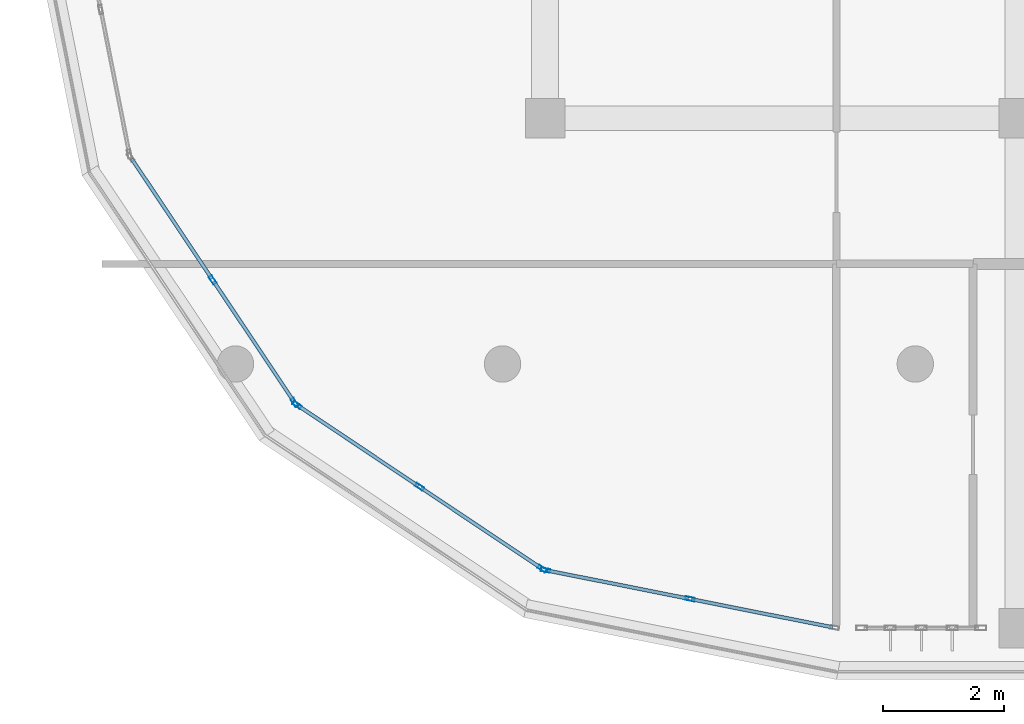
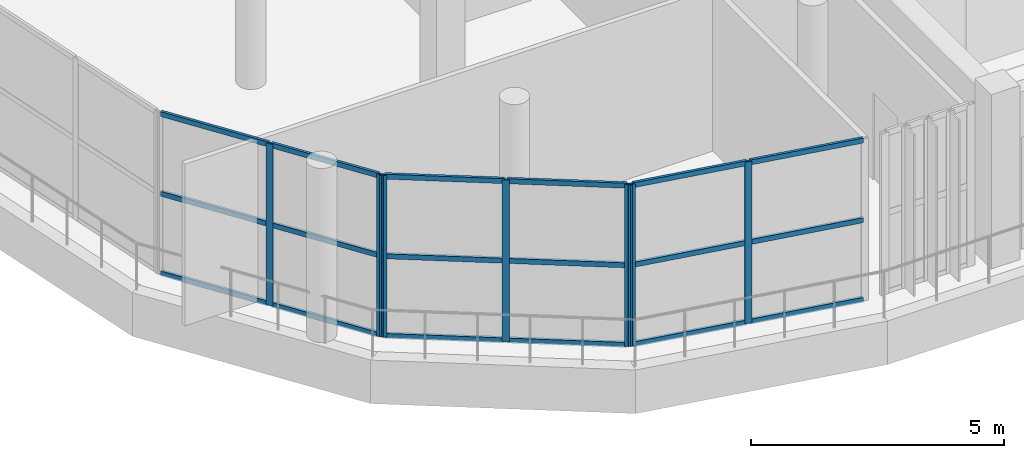
# One storey, part 2 of 63: 25 members, 3 elements without a shape of their own.
"""IFC4 building model written with IfcOpenShell, lengths in metres."""

import ifcopenshell
import ifcopenshell.guid

model = None  # the IFC model being written
_history = None  # IfcOwnerHistory: only IFC2X3 demands one
_inside = {}  # id of a spatial element -> (the spatial element, [elements in it])
_under = {}  # id of a project, library or spatial element -> (it, [spatial elements below it])
_declared = {}  # id of a project -> (the project, [libraries it declares])
_typed = {}  # id of a type object -> (the type object, [elements of that type])
_made_of = {}  # id of a material, layer set ... -> (it, [elements and type objects made of it])


def new_model(schema):
    """Start an empty IFC model of exactly this schema.

    Asked for "IFC4X3", IfcOpenShell would pick the latest addendum, in which some entities
    have other attributes; the version numbers below select the first issue.
    IFC2X3 requires an IfcOwnerHistory on every rooted entity: one is made here for all.
    """
    global model, _history
    if schema == "IFC4X3":
        model = ifcopenshell.file(schema_version=(4, 3, 0, 0))
    else:
        model = ifcopenshell.file(schema=schema)
    _inside.clear()
    _under.clear()
    _declared.clear()
    _typed.clear()
    _made_of.clear()
    _history = None
    if model.schema == "IFC2X3":
        org = make("IfcOrganization", Name="unknown")
        user = make(
            "IfcPersonAndOrganization",
            ThePerson=make("IfcPerson", FamilyName="unknown"),
            TheOrganization=org,
        )
        app = make(
            "IfcApplication",
            ApplicationDeveloper=org,
            Version="unknown",
            ApplicationFullName="unknown",
            ApplicationIdentifier="unknown",
        )
        _history = make(
            "IfcOwnerHistory",
            OwningUser=user,
            OwningApplication=app,
            ChangeAction="ADDED",
            CreationDate=0,
        )
    return model


def make(cls, **values):
    """One entity of the class cls with the attributes given. An attribute that is None is left unset."""
    return model.create_entity(
        cls, **{name: value for name, value in values.items() if value is not None}
    )


def rooted(cls, **values):
    """An entity with a GlobalId (a new one), such as an element, a storey or a relation."""
    return make(cls, GlobalId=ifcopenshell.guid.new(), OwnerHistory=_history, **values)


def si_unit(unit_type, name, prefix=None):
    """IfcSIUnit, for example si_unit("LENGTHUNIT", "METRE", prefix="MILLI")."""
    return make("IfcSIUnit", UnitType=unit_type, Prefix=prefix, Name=name)


def assignment(units):
    """IfcUnitAssignment: the units of a project."""
    return None if units is None else make("IfcUnitAssignment", Units=units)


def point(xyz):
    """IfcCartesianPoint."""
    return None if xyz is None else make("IfcCartesianPoint", Coordinates=xyz)


def direction(xyz):
    """IfcDirection."""
    return None if xyz is None else make("IfcDirection", DirectionRatios=xyz)


def frame(location, z_axis=None, x_axis=None):
    """IfcAxis2Placement3D, a coordinate frame: its origin and axes. An axis left out is left unset."""
    return make(
        "IfcAxis2Placement3D",
        Location=point(location),
        Axis=direction(z_axis),
        RefDirection=direction(x_axis),
    )


def frame_2d(location, x_axis=None):
    """IfcAxis2Placement2D, a coordinate frame in the plane: its origin and x axis."""
    return make(
        "IfcAxis2Placement2D", Location=point(location), RefDirection=direction(x_axis)
    )


def origin():
    """The frame at (0, 0, 0) with its axes left unset."""
    return frame((0.0, 0.0, 0.0))


def origin_2d():
    """The frame at (0, 0) in the plane with its x axis left unset."""
    return frame_2d((0.0, 0.0))


def place(relative_to, where):
    """IfcLocalPlacement: puts the frame where relative to a parent placement (None: the world)."""
    return make(
        "IfcLocalPlacement", PlacementRelTo=relative_to, RelativePlacement=where
    )


def context(
    kind, dimensions, precision=None, world=None, true_north=None, identifier=None
):
    """IfcGeometricRepresentationContext, for example the 3D "Model" context."""
    return make(
        "IfcGeometricRepresentationContext",
        ContextIdentifier=identifier,
        ContextType=kind,
        CoordinateSpaceDimension=dimensions,
        Precision=precision,
        WorldCoordinateSystem=world,
        TrueNorth=true_north,
    )


def subcontext(parent, identifier, kind, view, scale=None):
    """IfcGeometricRepresentationSubContext, for example "Body" below "Model"."""
    return make(
        "IfcGeometricRepresentationSubContext",
        ContextIdentifier=identifier,
        ContextType=kind,
        ParentContext=parent,
        TargetScale=scale,
        TargetView=view,
    )


def project(units=None, contexts=None):
    """IfcProject with its units and contexts."""
    return rooted(
        "IfcProject",
        Name="project",
        RepresentationContexts=contexts,
        UnitsInContext=assignment(units),
    )


def spatial(cls, under=None, at=None, **own):
    """A site, building, storey or space (cls), placed at a placement, below another one or the project."""
    s = rooted(cls, ObjectPlacement=at, **own)
    if under is not None:
        _under.setdefault(under.id(), (under, []))[1].append(s)
    return s


def profile(cls, at=None, kind="AREA", **sizes):
    """A parametric profile (cls). Its sizes go by their IFC names, for example OverallWidth=200.0."""
    return make(cls, ProfileType=kind, Position=at, **sizes)


def hollow_rectangle(**sizes):
    """IfcRectangleHollowProfileDef."""
    return profile("IfcRectangleHollowProfileDef", **sizes)


def extrude(swept, where, along, depth):
    """IfcExtrudedAreaSolid: the profile swept, set in the frame where, extruded along a direction by depth."""
    return make(
        "IfcExtrudedAreaSolid",
        SweptArea=swept,
        Position=where,
        ExtrudedDirection=direction(along),
        Depth=depth,
    )


def shape(context_of_items, identifier, shape_type, items):
    """IfcShapeRepresentation: the items that make up one representation, for example the "Body"."""
    return make(
        "IfcShapeRepresentation",
        ContextOfItems=context_of_items,
        RepresentationIdentifier=identifier,
        RepresentationType=shape_type,
        Items=items,
    )


def material(Name=None, Category=None):
    """IfcMaterial."""
    return make("IfcMaterial", Name=Name, Category=Category)


def layer(
    of_material, thickness, ventilated=None, Name=None, Category=None, Priority=None
):
    """IfcMaterialLayer: one layer of a wall or slab, of a material (None: an air gap)."""
    return make(
        "IfcMaterialLayer",
        Material=of_material,
        LayerThickness=thickness,
        IsVentilated=ventilated,
        Name=Name,
        Category=Category,
        Priority=Priority,
    )


def layer_set(layers, Name=None):
    """IfcMaterialLayerSet."""
    return make("IfcMaterialLayerSet", MaterialLayers=layers, LayerSetName=Name)


def material_profile(
    of_material, cross_section, Name=None, Category=None, Priority=None
):
    """IfcMaterialProfile: a cross section and its material."""
    return make(
        "IfcMaterialProfile",
        Name=Name,
        Material=of_material,
        Profile=cross_section,
        Priority=Priority,
        Category=Category,
    )


def profile_set(profiles, Name=None, composite=None):
    """IfcMaterialProfileSet."""
    return make(
        "IfcMaterialProfileSet",
        Name=Name,
        MaterialProfiles=profiles,
        CompositeProfile=composite,
    )


def made_of(thing, what):
    """Note that an element or type object is made of a material, layer set ...; save() writes the relation."""
    if what is not None:
        _made_of.setdefault(what.id(), (what, []))[1].append(thing)
    return thing


def type_object(cls, material=None, **own):
    """A type object (cls), such as IfcWallType, which elements share."""
    return made_of(rooted(cls, **own), material)


def element(
    cls,
    number,
    at=None,
    inside=None,
    cuts=None,
    type_object=None,
    material=None,
    context=None,
    identifier="Body",
    shape_type=None,
    held_by="IfcProductDefinitionShape",
    body=None,
    shapes=None,
    **own,
):
    """One element of the class cls, such as IfcWall. Its Tag is "e" and its number.

    at: its placement. inside: the storey or other place that contains it. cuts: it is an
    opening in that element (IfcRelVoidsElement). A single representation is given by context,
    identifier, shape_type and body (its items); several are given by shapes. held_by: the class
    of the entity that holds the representations. save() writes the other relations.
    """
    e = rooted(cls, Tag="e%d" % number, ObjectPlacement=at, **own)
    if body is not None:
        shapes = [shape(context, identifier, shape_type, body)]
    if shapes is not None:
        e.Representation = make(held_by, Representations=shapes)
    if inside is not None:
        _inside.setdefault(inside.id(), (inside, []))[1].append(e)
    if cuts is not None:
        rooted(
            "IfcRelVoidsElement", RelatingBuildingElement=cuts, RelatedOpeningElement=e
        )
    if type_object is not None:
        _typed.setdefault(type_object.id(), (type_object, []))[1].append(e)
    return made_of(e, material)


def aggregate(whole, parts):
    """IfcRelAggregates: a whole, such as a stair, and the parts it consists of."""
    return rooted("IfcRelAggregates", RelatingObject=whole, RelatedObjects=parts)


def save(model, path):
    """Write the relations noted so far, then the file.

    IfcRelAggregates (storeys below a building ...), IfcRelContainedInSpatialStructure (elements
    in a storey), IfcRelDefinesByType, IfcRelAssociatesMaterial and IfcRelDeclares: one each for
    every whole, place, type object, material and project.
    """
    for whole, parts in _under.values():
        aggregate(whole, parts)
    for where, things in _inside.values():
        rooted(
            "IfcRelContainedInSpatialStructure",
            RelatedElements=things,
            RelatingStructure=where,
        )
    for kind, things in _typed.values():
        rooted("IfcRelDefinesByType", RelatedObjects=things, RelatingType=kind)
    for what, things in _made_of.values():
        rooted("IfcRelAssociatesMaterial", RelatedObjects=things, RelatingMaterial=what)
    for by, libraries in _declared.values():
        rooted("IfcRelDeclares", RelatingContext=by, RelatedDefinitions=libraries)
    model.write(path)


model = new_model("IFC4")

# Units and contexts
model_context = context("Model", 3, precision=1e-05, world=origin(), true_north=direction((0.0, 1.0)))
body_context = subcontext(model_context, "Body", "Model", "MODEL_VIEW")
ifc_project = project(units=[si_unit("LENGTHUNIT", "METRE"), si_unit("AREAUNIT", "SQUARE_METRE"), si_unit("VOLUMEUNIT", "CUBIC_METRE"), si_unit("PLANEANGLEUNIT", "RADIAN"), si_unit("MASSUNIT", "GRAM", prefix="KILO")], contexts=[model_context])

# Site, building, storey
site_placement = place(None, origin())
site = spatial("IfcSite", under=ifc_project, at=site_placement, CompositionType="ELEMENT")
building_placement = place(site_placement, origin())
building = spatial("IfcBuilding", under=site, at=building_placement, Name="Zizhar Promenade General Hospital", CompositionType="ELEMENT")
storey_placement = place(building_placement, frame((0.0, 0.0, 18.0)))
storey = spatial("IfcBuildingStorey", under=building, at=storey_placement, Name="L04", CompositionType="ELEMENT", Elevation=18.0)

# Curtain wall, members
ifc_material_1 = material(Name="Anodised aluminium 6063-T6 and low-E glass", Category="aluminium")
ifc_layer = layer(ifc_material_1, 0.159912109375)
ifc_layer_set = layer_set([ifc_layer], Name="Anodised aluminium 6063-T6 and low-E glass")
curtain_wall_type = type_object("IfcCurtainWallType", Name="CW-WARD-ARC", PredefinedType="NOTDEFINED", material=ifc_layer_set)
curtain_wall_1_placement = place(storey_placement, origin())
curtain_wall_1 = element("IfcCurtainWall", 1, at=curtain_wall_1_placement, inside=storey, type_object=curtain_wall_type, Name="Ward Semicircular End Glazing L04-15", PredefinedType="NOTDEFINED")
ifc_material_2 = material(Name="Anodised aluminium 6063-T6", Category="aluminium")
ifc_material_profile_1 = material_profile(ifc_material_2, hollow_rectangle(XDim=0.06005859375, YDim=0.14990234375, WallThickness=0.00390625, at=origin_2d()))
ifc_profile_set_1 = profile_set([ifc_material_profile_1], Name="Anodised aluminium 6063-T6")
member_type_1 = type_object("IfcMemberType", Name="CWM-ALU-150x60", PredefinedType="MULLION", material=ifc_profile_set_1)
member_1_placement = place(storey_placement, frame((19.27392578125, 3.71533203125, 0.0), z_axis=(0.0, 0.0, 1.0), x_axis=(-0.831461514468, -0.555582352095, 0.0)))
member_1 = element("IfcMember", 2, at=member_1_placement, type_object=member_type_1, Name="CW-12 mullion 1", PredefinedType="MULLION", context=body_context, shape_type="SweptSolid", body=[
    extrude(hollow_rectangle(XDim=0.06005859375, YDim=0.14990234375, WallThickness=0.00390625, at=origin_2d()), origin(), (0.0, 0.0, 1.0), 3.89990234375),
])
member_2_placement = place(storey_placement, frame((17.9248046875, 5.734375, 0.0), z_axis=(0.0, 0.0, 1.0), x_axis=(-0.831461514468, -0.555582352095, 0.0)))
member_2 = element("IfcMember", 3, at=member_2_placement, type_object=member_type_1, Name="CW-12 mullion 2", PredefinedType="MULLION", context=body_context, shape_type="SweptSolid", body=[
    extrude(hollow_rectangle(XDim=0.06005859375, YDim=0.14990234375, WallThickness=0.00390625, at=origin_2d()), origin(), (0.0, 0.0, 1.0), 3.89990234375),
])

curtain_wall_2_placement = place(storey_placement, origin())
curtain_wall_2 = element("IfcCurtainWall", 4, at=curtain_wall_2_placement, inside=storey, type_object=curtain_wall_type, Name="Ward Semicircular End Glazing L04-16", PredefinedType="NOTDEFINED")
member_3_placement = place(storey_placement, frame((23.353271484375, 0.975830078125, 0.0), z_axis=(0.0, 0.0, 1.0), x_axis=(-0.555582352095, -0.831461514468, 0.0)))
member_3 = element("IfcMember", 5, at=member_3_placement, type_object=member_type_1, Name="CW-12 mullion 1", PredefinedType="MULLION", context=body_context, shape_type="SweptSolid", body=[
    extrude(hollow_rectangle(XDim=0.06005859375, YDim=0.14990234375, WallThickness=0.00390625, at=origin_2d()), origin(), (0.0, 0.0, 1.0), 3.89990234375),
])
member_4_placement = place(storey_placement, frame((21.334228515625, 2.32470703125, 0.0), z_axis=(0.0, 0.0, 1.0), x_axis=(-0.555582352095, -0.831461514468, 0.0)))
member_4 = element("IfcMember", 6, at=member_4_placement, type_object=member_type_1, Name="CW-12 mullion 2", PredefinedType="MULLION", context=body_context, shape_type="SweptSolid", body=[
    extrude(hollow_rectangle(XDim=0.06005859375, YDim=0.14990234375, WallThickness=0.00390625, at=origin_2d()), origin(), (0.0, 0.0, 1.0), 3.89990234375),
])
member_5_placement = place(storey_placement, frame((19.3154296875, 3.673828125, 0.0), z_axis=(0.0, 0.0, 1.0), x_axis=(-0.555582352095, -0.831461514468, 0.0)))
member_5 = element("IfcMember", 7, at=member_5_placement, type_object=member_type_1, Name="CW-12 mullion 3", PredefinedType="MULLION", context=body_context, shape_type="SweptSolid", body=[
    extrude(hollow_rectangle(XDim=0.06005859375, YDim=0.14990234375, WallThickness=0.00390625, at=origin_2d()), origin(), (0.0, 0.0, 1.0), 3.89990234375),
])

curtain_wall_3_placement = place(storey_placement, origin())
curtain_wall_3 = element("IfcCurtainWall", 8, at=curtain_wall_3_placement, inside=storey, type_object=curtain_wall_type, Name="Ward Semicircular End Glazing L04-17", PredefinedType="NOTDEFINED")
member_6_placement = place(storey_placement, frame((25.7890625, 0.4794921875, 0.0), z_axis=(0.0, 0.0, 1.0), x_axis=(-0.195087259275, -0.980785889615, 0.0)))
member_6 = element("IfcMember", 9, at=member_6_placement, type_object=member_type_1, Name="CW-12 mullion 2", PredefinedType="MULLION", context=body_context, shape_type="SweptSolid", body=[
    extrude(hollow_rectangle(XDim=0.06005859375, YDim=0.14990234375, WallThickness=0.00390625, at=origin_2d()), origin(), (0.0, 0.0, 1.0), 3.89990234375),
])
member_7_placement = place(storey_placement, frame((23.40771484375, 0.953369140625, 0.0), z_axis=(0.0, 0.0, 1.0), x_axis=(-0.195087259275, -0.980785889615, 0.0)))
member_7 = element("IfcMember", 10, at=member_7_placement, type_object=member_type_1, Name="CW-12 mullion 3", PredefinedType="MULLION", context=body_context, shape_type="SweptSolid", body=[
    extrude(hollow_rectangle(XDim=0.06005859375, YDim=0.14990234375, WallThickness=0.00390625, at=origin_2d()), origin(), (0.0, 0.0, 1.0), 3.89990234375),
])

# Member
ifc_material_3 = material(Name="Anodised aluminium 6063-T6", Category="aluminium")
ifc_material_profile_2 = material_profile(ifc_material_3, hollow_rectangle(XDim=0.06005859375, YDim=0.1201171875, WallThickness=0.00390625, at=origin_2d()))
ifc_profile_set_2 = profile_set([ifc_material_profile_2], Name="Anodised aluminium 6063-T6")
member_type_2 = type_object("IfcMemberType", Name="CWT-ALU-120x60", PredefinedType="USERDEFINED", material=ifc_profile_set_2)
member_8_placement = place(storey_placement, frame((19.257080078125, 3.740478515625, 0.030029296875), z_axis=(-0.555580160396, 0.831462978956, 0.0), x_axis=(-0.831462978956, -0.555580160396, 0.0)))
member_8 = element("IfcMember", 11, at=member_8_placement, type_object=member_type_2, Name="CW-12 transom 1.1", ObjectType="TRANSOM", PredefinedType="USERDEFINED", context=body_context, shape_type="SweptSolid", body=[
    extrude(hollow_rectangle(XDim=0.06005859375, YDim=0.1201171875, WallThickness=0.00390625, at=origin_2d()), origin(), (0.0, 0.0, 1.0), 2.3681640625),
])

member_9_placement = place(storey_placement, frame((19.257080078125, 3.740478515625, 1.949951171875), z_axis=(-0.555580160396, 0.831462978956, 0.0), x_axis=(-0.831462978956, -0.555580160396, 0.0)))
member_9 = element("IfcMember", 12, at=member_9_placement, type_object=member_type_2, Name="CW-12 transom 1.2", ObjectType="TRANSOM", PredefinedType="USERDEFINED", context=body_context, shape_type="SweptSolid", body=[
    extrude(hollow_rectangle(XDim=0.06005859375, YDim=0.1201171875, WallThickness=0.00390625, at=origin_2d()), origin(), (0.0, 0.0, 1.0), 2.3681640625),
])

member_10_placement = place(storey_placement, frame((19.257080078125, 3.740478515625, 3.8701171875), z_axis=(-0.555580160396, 0.831462978956, 0.0), x_axis=(-0.831462978956, -0.555580160396, 0.0)))
member_10 = element("IfcMember", 13, at=member_10_placement, type_object=member_type_2, Name="CW-12 transom 1.3", ObjectType="TRANSOM", PredefinedType="USERDEFINED", context=body_context, shape_type="SweptSolid", body=[
    extrude(hollow_rectangle(XDim=0.06005859375, YDim=0.1201171875, WallThickness=0.00390625, at=origin_2d()), origin(), (0.0, 0.0, 1.0), 2.3681640625),
])

member_11_placement = place(storey_placement, frame((17.908203125, 5.75927734375, 0.030029296875), z_axis=(-0.555580160396, 0.831462978956, 0.0), x_axis=(-0.831462978956, -0.555580160396, 0.0)))
member_11 = element("IfcMember", 14, at=member_11_placement, type_object=member_type_2, Name="CW-12 transom 2.1", ObjectType="TRANSOM", PredefinedType="USERDEFINED", context=body_context, shape_type="SweptSolid", body=[
    extrude(hollow_rectangle(XDim=0.06005859375, YDim=0.1201171875, WallThickness=0.00390625, at=origin_2d()), origin(), (0.0, 0.0, 1.0), 2.3681640625),
])

member_12_placement = place(storey_placement, frame((17.908203125, 5.75927734375, 1.949951171875), z_axis=(-0.555580160396, 0.831462978956, 0.0), x_axis=(-0.831462978956, -0.555580160396, 0.0)))
member_12 = element("IfcMember", 15, at=member_12_placement, type_object=member_type_2, Name="CW-12 transom 2.2", ObjectType="TRANSOM", PredefinedType="USERDEFINED", context=body_context, shape_type="SweptSolid", body=[
    extrude(hollow_rectangle(XDim=0.06005859375, YDim=0.1201171875, WallThickness=0.00390625, at=origin_2d()), origin(), (0.0, 0.0, 1.0), 2.3681640625),
])

member_13_placement = place(storey_placement, frame((17.908203125, 5.75927734375, 3.8701171875), z_axis=(-0.555580160396, 0.831462978956, 0.0), x_axis=(-0.831462978956, -0.555580160396, 0.0)))
member_13 = element("IfcMember", 16, at=member_13_placement, type_object=member_type_2, Name="CW-12 transom 2.3", ObjectType="TRANSOM", PredefinedType="USERDEFINED", context=body_context, shape_type="SweptSolid", body=[
    extrude(hollow_rectangle(XDim=0.06005859375, YDim=0.1201171875, WallThickness=0.00390625, at=origin_2d()), origin(), (0.0, 0.0, 1.0), 2.3681640625),
])

aggregate(curtain_wall_1, [member_1, member_2, member_8, member_9, member_10, member_11, member_12, member_13])

member_14_placement = place(storey_placement, frame((23.328369140625, 0.992431640625, 0.030029296875), z_axis=(-0.831462978956, 0.555580160396, 0.0), x_axis=(-0.555580160396, -0.831462978956, 0.0)))
member_14 = element("IfcMember", 17, at=member_14_placement, type_object=member_type_2, Name="CW-12 transom 1.1", ObjectType="TRANSOM", PredefinedType="USERDEFINED", context=body_context, shape_type="SweptSolid", body=[
    extrude(hollow_rectangle(XDim=0.06005859375, YDim=0.1201171875, WallThickness=0.00390625, at=origin_2d()), origin(), (0.0, 0.0, 1.0), 2.3681640625),
])

member_15_placement = place(storey_placement, frame((23.328369140625, 0.992431640625, 1.949951171875), z_axis=(-0.831462978956, 0.555580160396, 0.0), x_axis=(-0.555580160396, -0.831462978956, 0.0)))
member_15 = element("IfcMember", 18, at=member_15_placement, type_object=member_type_2, Name="CW-12 transom 1.2", ObjectType="TRANSOM", PredefinedType="USERDEFINED", context=body_context, shape_type="SweptSolid", body=[
    extrude(hollow_rectangle(XDim=0.06005859375, YDim=0.1201171875, WallThickness=0.00390625, at=origin_2d()), origin(), (0.0, 0.0, 1.0), 2.3681640625),
])

member_16_placement = place(storey_placement, frame((23.328369140625, 0.992431640625, 3.8701171875), z_axis=(-0.831462978956, 0.555580160396, 0.0), x_axis=(-0.555580160396, -0.831462978956, 0.0)))
member_16 = element("IfcMember", 19, at=member_16_placement, type_object=member_type_2, Name="CW-12 transom 1.3", ObjectType="TRANSOM", PredefinedType="USERDEFINED", context=body_context, shape_type="SweptSolid", body=[
    extrude(hollow_rectangle(XDim=0.06005859375, YDim=0.1201171875, WallThickness=0.00390625, at=origin_2d()), origin(), (0.0, 0.0, 1.0), 2.3681640625),
])

member_17_placement = place(storey_placement, frame((21.309326171875, 2.341552734375, 0.030029296875), z_axis=(-0.831462978956, 0.555580160396, 0.0), x_axis=(-0.555580160396, -0.831462978956, 0.0)))
member_17 = element("IfcMember", 20, at=member_17_placement, type_object=member_type_2, Name="CW-12 transom 2.1", ObjectType="TRANSOM", PredefinedType="USERDEFINED", context=body_context, shape_type="SweptSolid", body=[
    extrude(hollow_rectangle(XDim=0.06005859375, YDim=0.1201171875, WallThickness=0.00390625, at=origin_2d()), origin(), (0.0, 0.0, 1.0), 2.3681640625),
])

member_18_placement = place(storey_placement, frame((21.309326171875, 2.341552734375, 1.949951171875), z_axis=(-0.831462978956, 0.555580160396, 0.0), x_axis=(-0.555580160396, -0.831462978956, 0.0)))
member_18 = element("IfcMember", 21, at=member_18_placement, type_object=member_type_2, Name="CW-12 transom 2.2", ObjectType="TRANSOM", PredefinedType="USERDEFINED", context=body_context, shape_type="SweptSolid", body=[
    extrude(hollow_rectangle(XDim=0.06005859375, YDim=0.1201171875, WallThickness=0.00390625, at=origin_2d()), origin(), (0.0, 0.0, 1.0), 2.3681640625),
])

member_19_placement = place(storey_placement, frame((21.309326171875, 2.341552734375, 3.8701171875), z_axis=(-0.831462978956, 0.555580160396, 0.0), x_axis=(-0.555580160396, -0.831462978956, 0.0)))
member_19 = element("IfcMember", 22, at=member_19_placement, type_object=member_type_2, Name="CW-12 transom 2.3", ObjectType="TRANSOM", PredefinedType="USERDEFINED", context=body_context, shape_type="SweptSolid", body=[
    extrude(hollow_rectangle(XDim=0.06005859375, YDim=0.1201171875, WallThickness=0.00390625, at=origin_2d()), origin(), (0.0, 0.0, 1.0), 2.3681640625),
])

aggregate(curtain_wall_2, [member_3, member_4, member_5, member_14, member_15, member_16, member_17, member_18, member_19])

member_20_placement = place(storey_placement, frame((28.14111328125, 0.01171875, 0.030029296875), z_axis=(-0.980790278018, 0.195065195628, 0.0), x_axis=(-0.195065195628, -0.980790278018, 0.0)))
member_20 = element("IfcMember", 23, at=member_20_placement, type_object=member_type_2, Name="CW-12 transom 1.1", ObjectType="TRANSOM", PredefinedType="USERDEFINED", context=body_context, shape_type="SweptSolid", body=[
    extrude(hollow_rectangle(XDim=0.06005859375, YDim=0.1201171875, WallThickness=0.00390625, at=origin_2d()), origin(), (0.0, 0.0, 1.0), 2.367919921875),
])

member_21_placement = place(storey_placement, frame((28.14111328125, 0.01171875, 1.949951171875), z_axis=(-0.980790278018, 0.195065195628, 0.0), x_axis=(-0.195065195628, -0.980790278018, 0.0)))
member_21 = element("IfcMember", 24, at=member_21_placement, type_object=member_type_2, Name="CW-12 transom 1.2", ObjectType="TRANSOM", PredefinedType="USERDEFINED", context=body_context, shape_type="SweptSolid", body=[
    extrude(hollow_rectangle(XDim=0.06005859375, YDim=0.1201171875, WallThickness=0.00390625, at=origin_2d()), origin(), (0.0, 0.0, 1.0), 2.367919921875),
])

member_22_placement = place(storey_placement, frame((28.14111328125, 0.01171875, 3.8701171875), z_axis=(-0.980790278018, 0.195065195628, 0.0), x_axis=(-0.195065195628, -0.980790278018, 0.0)))
member_22 = element("IfcMember", 25, at=member_22_placement, type_object=member_type_2, Name="CW-12 transom 1.3", ObjectType="TRANSOM", PredefinedType="USERDEFINED", context=body_context, shape_type="SweptSolid", body=[
    extrude(hollow_rectangle(XDim=0.06005859375, YDim=0.1201171875, WallThickness=0.00390625, at=origin_2d()), origin(), (0.0, 0.0, 1.0), 2.367919921875),
])

member_23_placement = place(storey_placement, frame((25.759765625, 0.4853515625, 0.030029296875), z_axis=(-0.980774474825, 0.195144637465, 0.0), x_axis=(-0.195144637465, -0.980774474825, 0.0)))
member_23 = element("IfcMember", 26, at=member_23_placement, type_object=member_type_2, Name="CW-12 transom 2.1", ObjectType="TRANSOM", PredefinedType="USERDEFINED", context=body_context, shape_type="SweptSolid", body=[
    extrude(hollow_rectangle(XDim=0.06005859375, YDim=0.1201171875, WallThickness=0.00390625, at=origin_2d()), origin(), (0.0, 0.0, 1.0), 2.3681640625),
])

member_24_placement = place(storey_placement, frame((25.759765625, 0.4853515625, 1.949951171875), z_axis=(-0.980774474825, 0.195144637465, 0.0), x_axis=(-0.195144637465, -0.980774474825, 0.0)))
member_24 = element("IfcMember", 27, at=member_24_placement, type_object=member_type_2, Name="CW-12 transom 2.2", ObjectType="TRANSOM", PredefinedType="USERDEFINED", context=body_context, shape_type="SweptSolid", body=[
    extrude(hollow_rectangle(XDim=0.06005859375, YDim=0.1201171875, WallThickness=0.00390625, at=origin_2d()), origin(), (0.0, 0.0, 1.0), 2.3681640625),
])

member_25_placement = place(storey_placement, frame((25.759765625, 0.4853515625, 3.8701171875), z_axis=(-0.980774474825, 0.195144637465, 0.0), x_axis=(-0.195144637465, -0.980774474825, 0.0)))
member_25 = element("IfcMember", 28, at=member_25_placement, type_object=member_type_2, Name="CW-12 transom 2.3", ObjectType="TRANSOM", PredefinedType="USERDEFINED", context=body_context, shape_type="SweptSolid", body=[
    extrude(hollow_rectangle(XDim=0.06005859375, YDim=0.1201171875, WallThickness=0.00390625, at=origin_2d()), origin(), (0.0, 0.0, 1.0), 2.3681640625),
])

aggregate(curtain_wall_3, [member_6, member_7, member_20, member_21, member_22, member_23, member_24, member_25])

save(model, "model.ifc")
